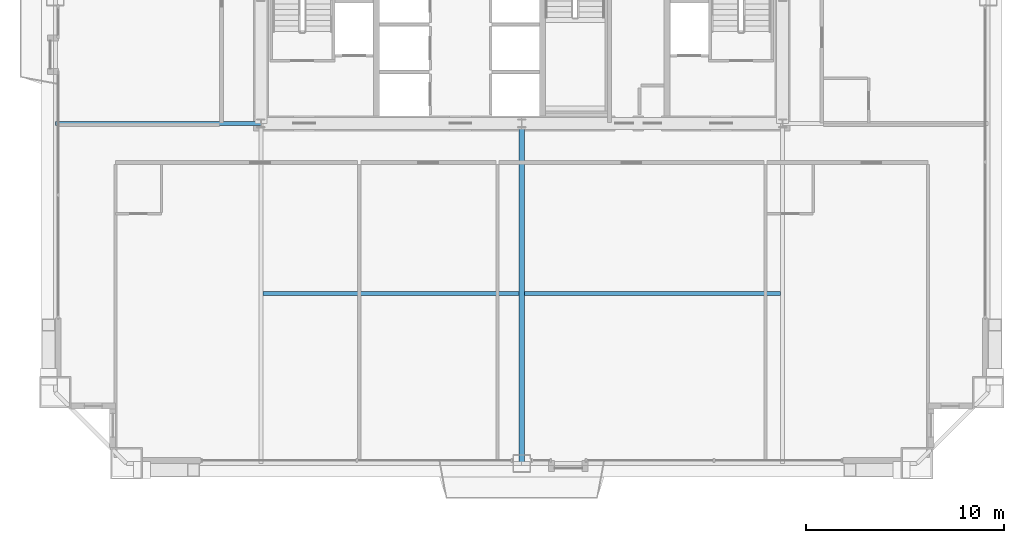
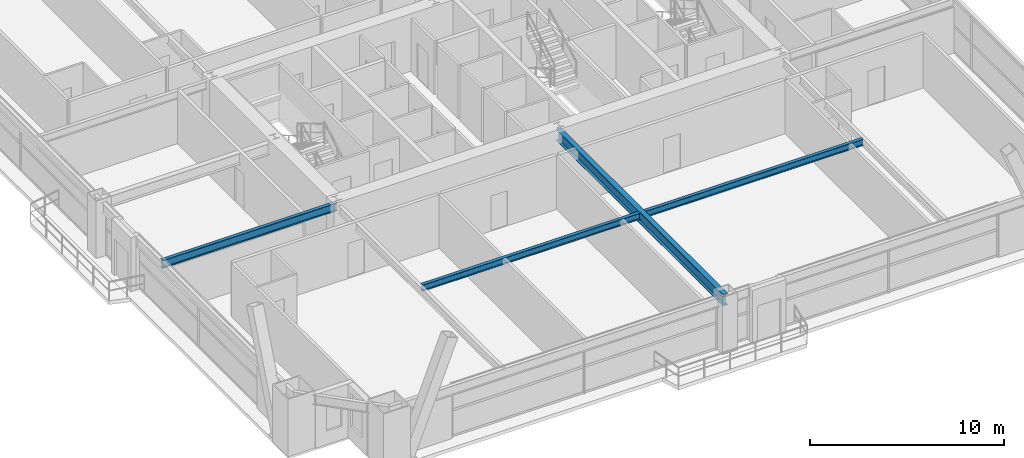
# One storey, part 11 of 41: 4 beams.
"""IFC4 building model written with IfcOpenShell, lengths in metres."""

from ifc_helpers import new_model, si_unit, direction, frame, origin, origin_2d, place, context, subcontext, project, spatial, i_section, extrude, source, transform, mapped, material, material_profile, profile_set, type_object, element, save


model = new_model("IFC4")

# Units and contexts
model_context = context("Model", 3, precision=1e-05, world=origin(), true_north=direction((0.0, 1.0)))
body_context = subcontext(model_context, "Body", "Model", "MODEL_VIEW")
ifc_project = project(units=[si_unit("LENGTHUNIT", "METRE"), si_unit("AREAUNIT", "SQUARE_METRE"), si_unit("VOLUMEUNIT", "CUBIC_METRE"), si_unit("PLANEANGLEUNIT", "RADIAN"), si_unit("MASSUNIT", "GRAM", prefix="KILO"), si_unit("THERMODYNAMICTEMPERATUREUNIT", "KELVIN"), si_unit("POWERUNIT", "WATT")], contexts=[model_context])

# Site, building, storey
site_placement = place(None, origin())
site = spatial("IfcSite", under=ifc_project, at=site_placement, CompositionType="ELEMENT")
building_placement = place(site_placement, origin())
building = spatial("IfcBuilding", under=site, at=building_placement, Name="Yuzanri Waterfront Tower", CompositionType="ELEMENT")
storey_placement = place(building_placement, frame((0.0, 0.0, 115.39990234375)))
storey = spatial("IfcBuildingStorey", under=building, at=storey_placement, Name="L30", CompositionType="ELEMENT", Elevation=115.39990234375)

# Beams
ifc_material_1 = material(Name="Steel Q355B", Category="steel")
ifc_material_profile_1 = material_profile(ifc_material_1, i_section(OverallWidth=0.199951171875, OverallDepth=0.39990234375, WebThickness=0.008056640625, FlangeThickness=0.012939453125, at=origin_2d()), Name="HN 400x200x8x13")
ifc_profile_set_1 = profile_set([ifc_material_profile_1], Name="Steel Q355B")
beam_type_1 = type_object("IfcBeamType", Name="Floor Joist Q355B HN 400x200", PredefinedType="JOIST", material=ifc_profile_set_1)
shared_shape_1 = source(origin(), body_context, "Body", "SweptSolid", [
    extrude(i_section(OverallWidth=0.199951171875, OverallDepth=0.39990234375, WebThickness=0.008056640625, FlangeThickness=0.012939453125, at=origin_2d()), origin(), (0.0, 0.0, 1.0), 12.9501953125),
])
for number, where, z_axis, x_axis, name in (
    (1, (23.89990234375, 10.800048828125, 3.18017578125), (1.0, 0.0, 0.0), (0.0, 1.0, 0.0), "L30 South Bay Joist W"),
    (2, (37.14990234375, 10.800048828125, 3.18017578125), (1.0, 0.0, 0.0), (0.0, 1.0, 0.0), "L30 South Bay Joist E"),
):
    element("IfcBeam", number, at=place(storey_placement, frame(where, z_axis=z_axis, x_axis=x_axis)), inside=storey, type_object=beam_type_1, Name=name, PredefinedType="JOIST", context=body_context, shape_type="MappedRepresentation", body=[
        mapped(shared_shape_1, transform((0.0, 0.0, 0.0), scale=1.0)),
    ])
ifc_material_2 = material(Name="Steel Q355B", Category="steel")
ifc_material_profile_2 = material_profile(ifc_material_2, i_section(OverallWidth=0.300048828125, OverallDepth=0.699951171875, WebThickness=0.012939453125, FlangeThickness=0.02392578125, at=origin_2d()), Name="HN 700x300x13x24")
ifc_profile_set_2 = profile_set([ifc_material_profile_2], Name="Steel Q355B")
beam_type_2 = type_object("IfcBeamType", Name="Primary Floor Girder Q355B HN 700x300", PredefinedType="BEAM", material=ifc_profile_set_2)
shared_shape_2 = source(origin(), body_context, "Body", "SweptSolid", [
    extrude(i_section(OverallWidth=0.300048828125, OverallDepth=0.699951171875, WebThickness=0.012939453125, FlangeThickness=0.02392578125, at=origin_2d()), origin(), (0.0, 0.0, 1.0), 17.199951171875),
])
beam_1_placement = place(storey_placement, frame((37.0, 19.39990234375, 3.030029296875), z_axis=(0.0, -1.0, 0.0), x_axis=(1.0, 0.0, 0.0)))
element("IfcBeam", 3, at=beam_1_placement, inside=storey, type_object=beam_type_2, Name="L30 South Grid Girder", PredefinedType="BEAM", context=body_context, shape_type="MappedRepresentation", body=[
    mapped(shared_shape_2, transform((0.0, 0.0, 0.0), scale=1.0)),
])
ifc_material_3 = material(Name="Steel Q355B", Category="steel")
ifc_material_profile_3 = material_profile(ifc_material_3, i_section(OverallWidth=0.199951171875, OverallDepth=0.5, WebThickness=0.010009765625, FlangeThickness=0.01611328125, at=origin_2d()), Name="HN 500x200x10x16")
ifc_profile_set_3 = profile_set([ifc_material_profile_3], Name="Steel Q355B")
beam_type_3 = type_object("IfcBeamType", Name="Secondary Floor Beam Q355B HN 500x200", PredefinedType="BEAM", material=ifc_profile_set_3)
shared_shape_3 = source(origin(), body_context, "Body", "SweptSolid", [
    extrude(i_section(OverallWidth=0.199951171875, OverallDepth=0.5, WebThickness=0.010009765625, FlangeThickness=0.01611328125, at=origin_2d()), origin(), (0.0, 0.0, 1.0), 10.400146484375),
])
beam_2_placement = place(storey_placement, frame((23.800048828125, 19.39990234375, 3.130126953125), z_axis=(-1.0, 0.0, 0.0), x_axis=(0.0, -1.0, 0.0)))
element("IfcBeam", 4, at=beam_2_placement, inside=storey, type_object=beam_type_3, Name="L30 West-South Core Line Beam", PredefinedType="BEAM", context=body_context, shape_type="MappedRepresentation", body=[
    mapped(shared_shape_3, transform((0.0, 0.0, 0.0), scale=1.0)),
])

save(model, "model.ifc")
